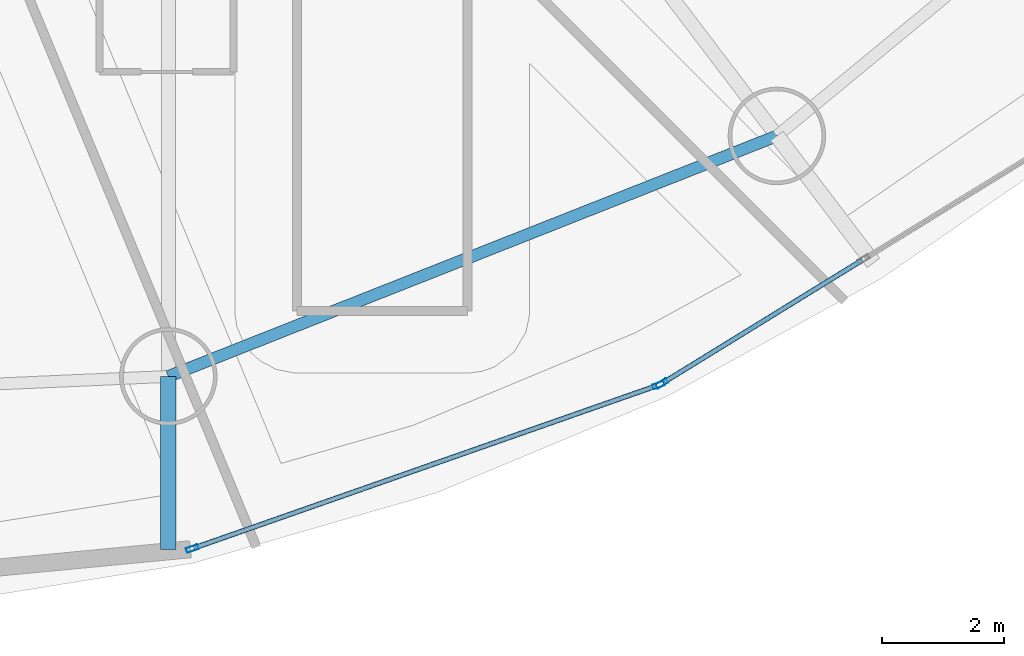
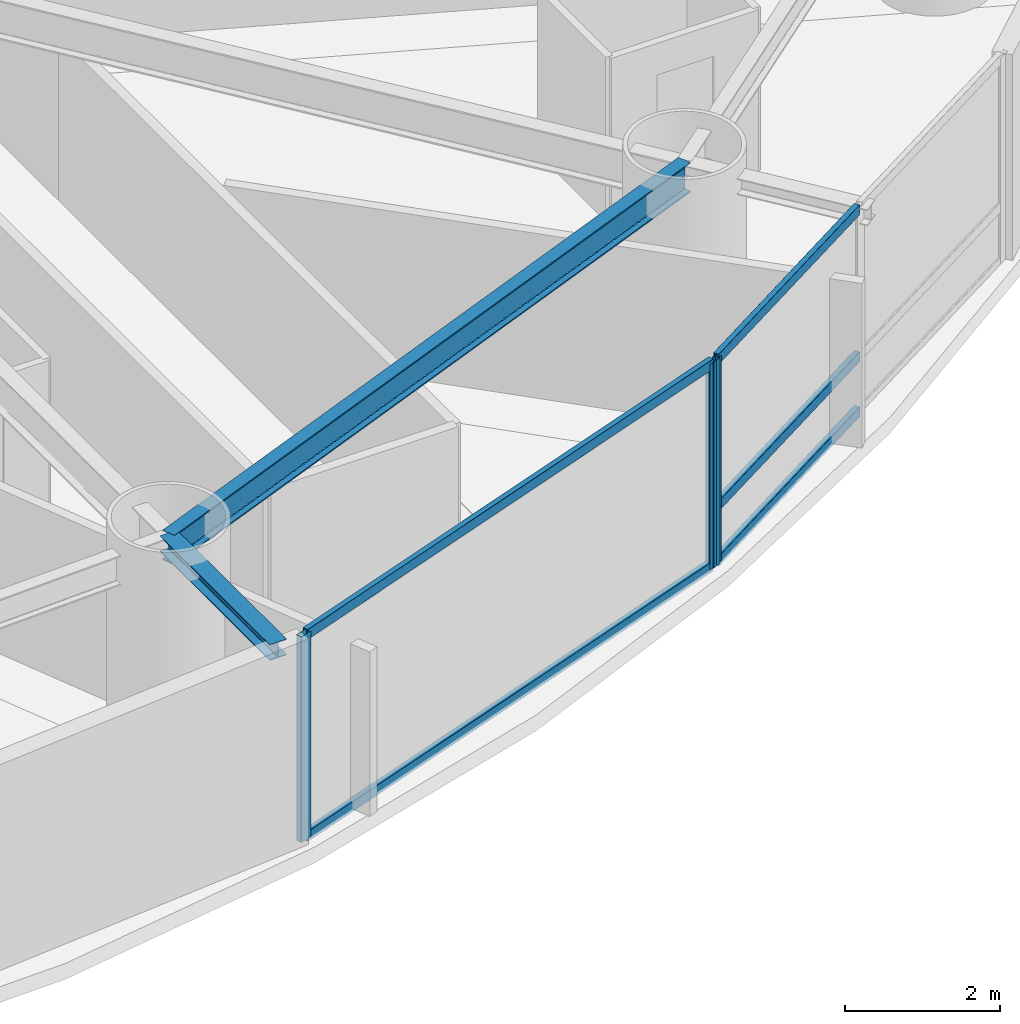
# One storey, part 6 of 27: 8 members, 2 beams, 2 elements without a shape of their own.
"""IFC4 building model written with IfcOpenShell, lengths in metres."""

from ifc_helpers import new_model, si_unit, direction, frame, origin, origin_2d, place, context, subcontext, project, spatial, hollow_rectangle, i_section, extrude, material, layer, layer_set, material_profile, profile_set, type_object, element, aggregate, save


model = new_model("IFC4")

# Units and contexts
model_context = context("Model", 3, precision=1e-05, world=origin(), true_north=direction((0.0, 1.0)))
body_context = subcontext(model_context, "Body", "Model", "MODEL_VIEW")
ifc_project = project(units=[si_unit("LENGTHUNIT", "METRE"), si_unit("AREAUNIT", "SQUARE_METRE"), si_unit("VOLUMEUNIT", "CUBIC_METRE"), si_unit("PLANEANGLEUNIT", "RADIAN"), si_unit("MASSUNIT", "GRAM", prefix="KILO")], contexts=[model_context])

# Site, building, storey
site_placement = place(None, origin())
site = spatial("IfcSite", under=ifc_project, at=site_placement, CompositionType="ELEMENT")
building_placement = place(site_placement, origin())
building = spatial("IfcBuilding", under=site, at=building_placement, Name="Bramvorn Convention Spire", CompositionType="ELEMENT")
storey_placement = place(building_placement, frame((0.0, 0.0, 44.89990234375)))
storey = spatial("IfcBuildingStorey", under=building, at=storey_placement, Name="L08", CompositionType="ELEMENT", Elevation=44.89990234375)

# Beams
ifc_material_1 = material(Name="Steel CSA G40.21 Grade 350 (350W)", Category="steel")
ifc_material_profile_1 = material_profile(ifc_material_1, i_section(OverallWidth=0.25390625, OverallDepth=0.2529296875, WebThickness=0.008544921875, FlangeThickness=0.01416015625, FilletRadius=0.011962890625, at=origin_2d()))
ifc_profile_set_1 = profile_set([ifc_material_profile_1], Name="Steel CSA G40.21 Grade 350 (350W) - W250X73")
beam_type_1 = type_object("IfcBeamType", Name="BM-W250X73", PredefinedType="BEAM", material=ifc_profile_set_1)
beam_1_placement = place(storey_placement, frame((46.23779296875, 5.42333984375, 3.12353515625), z_axis=(0.0, -1.0, 0.0), x_axis=(1.0, 0.0, 0.0)))
element("IfcBeam", 1, at=beam_1_placement, inside=storey, type_object=beam_type_1, Name="L08 slab-edge cantilever tip beam MC14", PredefinedType="BEAM", context=body_context, shape_type="SweptSolid", body=[
    extrude(i_section(OverallWidth=0.25390625, OverallDepth=0.2529296875, WebThickness=0.008544921875, FlangeThickness=0.01416015625, FilletRadius=0.011962890625, at=origin_2d()), origin(), (0.0, 0.0, 1.0), 2.840087890625),
])
ifc_material_profile_2 = material_profile(ifc_material_1, i_section(OverallWidth=0.194091796875, OverallDepth=0.468994140625, WebThickness=0.0126953125, FlangeThickness=0.0205078125, FilletRadius=0.01806640625, at=origin_2d()))
ifc_profile_set_2 = profile_set([ifc_material_profile_2], Name="Steel CSA G40.21 Grade 350 (350W) - W460X106")
beam_type_2 = type_object("IfcBeamType", Name="BM-W460X106", PredefinedType="SPANDREL", material=ifc_profile_set_2)
beam_2_placement = place(storey_placement, frame((46.23779296875, 5.42333984375, 3.015625), z_axis=(0.93000950609, 0.367535465749, 0.0), x_axis=(-0.367535465749, 0.93000950609, 0.0)))
element("IfcBeam", 2, at=beam_2_placement, inside=storey, type_object=beam_type_2, Name="L08 mega-column ring beam 14", PredefinedType="SPANDREL", context=body_context, shape_type="SweptSolid", body=[
    extrude(i_section(OverallWidth=0.194091796875, OverallDepth=0.468994140625, WebThickness=0.0126953125, FlangeThickness=0.0205078125, FilletRadius=0.01806640625, at=origin_2d()), origin(), (0.0, 0.0, 1.0), 10.74169921875),
])

# Curtain wall, members
ifc_material_2 = material(Name="Anodised Bronze Unitised Curtain Wall", Category="aluminium")
ifc_layer = layer(ifc_material_2, 0.179931640625)
ifc_layer_set = layer_set([ifc_layer], Name="Anodised Bronze Unitised Curtain Wall - CW-HTL-FRIT")
curtain_wall_type = type_object("IfcCurtainWallType", Name="CW-HTL-FRIT", PredefinedType="USERDEFINED", material=ifc_layer_set)
curtain_wall_1_placement = place(storey_placement, origin())
curtain_wall_1 = element("IfcCurtainWall", 3, at=curtain_wall_1_placement, inside=storey, type_object=curtain_wall_type, Name="L08 fritted glass curtain wall 20", ObjectType="UNITISED CURTAIN WALL", PredefinedType="USERDEFINED")
ifc_material_3 = material(Name="Anodised Bronze Aluminium 6063-T6", Category="aluminium")
ifc_material_profile_3 = material_profile(ifc_material_3, hollow_rectangle(XDim=0.080078125, YDim=0.199951171875, WallThickness=0.00390625, InnerFilletRadius=0.0009765625, OuterFilletRadius=0.00390625, at=origin_2d()))
ifc_profile_set_3 = profile_set([ifc_material_profile_3], Name="Anodised Bronze Aluminium 6063-T6 - CWM80X200")
member_type_1 = type_object("IfcMemberType", Name="CW-MUL-180", PredefinedType="MULLION", material=ifc_profile_set_3)
member_1_placement = place(storey_placement, frame((54.2841796875, 5.281005859375, 0.0), z_axis=(0.0, 0.0, 1.0), x_axis=(0.330945665004, -0.943649811538, 0.0)))
member_1 = element("IfcMember", 4, at=member_1_placement, type_object=member_type_1, Name="CW2 mullion 1", PredefinedType="MULLION", context=body_context, shape_type="SweptSolid", body=[
    extrude(hollow_rectangle(XDim=0.080078125, YDim=0.199951171875, WallThickness=0.00390625, InnerFilletRadius=0.0009765625, OuterFilletRadius=0.00390625, at=origin_2d()), origin(), (0.0, 0.0, 1.0), 3.25),
])
member_2_placement = place(storey_placement, frame((46.63037109375, 2.5966796875, 0.0), z_axis=(0.0, 0.0, 1.0), x_axis=(0.330945665004, -0.943649811538, 0.0)))
member_2 = element("IfcMember", 5, at=member_2_placement, type_object=member_type_1, Name="CW2 mullion 2", PredefinedType="MULLION", context=body_context, shape_type="SweptSolid", body=[
    extrude(hollow_rectangle(XDim=0.080078125, YDim=0.199951171875, WallThickness=0.00390625, InnerFilletRadius=0.0009765625, OuterFilletRadius=0.00390625, at=origin_2d()), origin(), (0.0, 0.0, 1.0), 3.25),
])

# Curtain wall, member
curtain_wall_2_placement = place(storey_placement, origin())
curtain_wall_2 = element("IfcCurtainWall", 6, at=curtain_wall_2_placement, inside=storey, type_object=curtain_wall_type, Name="L08 fritted glass curtain wall 21", ObjectType="UNITISED CURTAIN WALL", PredefinedType="USERDEFINED")
member_3_placement = place(storey_placement, frame((54.337890625, 5.306640625, 0.0), z_axis=(0.0, 0.0, 1.0), x_axis=(0.524243929369, -0.851568143204, 0.0)))
member_3 = element("IfcMember", 7, at=member_3_placement, type_object=member_type_1, Name="CW2 mullion 3", PredefinedType="MULLION", context=body_context, shape_type="SweptSolid", body=[
    extrude(hollow_rectangle(XDim=0.080078125, YDim=0.199951171875, WallThickness=0.00390625, InnerFilletRadius=0.0009765625, OuterFilletRadius=0.00390625, at=origin_2d()), origin(), (0.0, 0.0, 1.0), 3.25),
])

# Member
ifc_material_profile_4 = material_profile(ifc_material_3, hollow_rectangle(XDim=0.080078125, YDim=0.159912109375, WallThickness=0.00390625, InnerFilletRadius=0.0009765625, OuterFilletRadius=0.00390625, at=origin_2d()))
ifc_profile_set_4 = profile_set([ifc_material_profile_4], Name="Anodised Bronze Aluminium 6063-T6 - CWT80X160")
member_type_2 = type_object("IfcMemberType", Name="CW-TRN-150", PredefinedType="USERDEFINED", material=ifc_profile_set_4)
member_4_placement = place(storey_placement, frame((54.255859375, 5.27099609375, 0.030029296875), z_axis=(-0.943652990978, -0.330936599092, 0.0), x_axis=(0.330936599092, -0.943652990978, 0.0)))
member_4 = element("IfcMember", 8, at=member_4_placement, type_object=member_type_2, Name="CW2 transom 1.1", ObjectType="TRANSOM", PredefinedType="USERDEFINED", context=body_context, shape_type="SweptSolid", body=[
    extrude(hollow_rectangle(XDim=0.080078125, YDim=0.159912109375, WallThickness=0.00390625, InnerFilletRadius=0.0009765625, OuterFilletRadius=0.00390625, at=origin_2d()), origin(), (0.0, 0.0, 1.0), 8.05078125),
])

member_5_placement = place(storey_placement, frame((54.255859375, 5.27099609375, 3.22021484375), z_axis=(-0.943652990978, -0.330936599092, 0.0), x_axis=(0.330936599092, -0.943652990978, 0.0)))
member_5 = element("IfcMember", 9, at=member_5_placement, type_object=member_type_2, Name="CW2 transom 1.2", ObjectType="TRANSOM", PredefinedType="USERDEFINED", context=body_context, shape_type="SweptSolid", body=[
    extrude(hollow_rectangle(XDim=0.080078125, YDim=0.159912109375, WallThickness=0.00390625, InnerFilletRadius=0.0009765625, OuterFilletRadius=0.00390625, at=origin_2d()), origin(), (0.0, 0.0, 1.0), 8.05078125),
])

aggregate(curtain_wall_1, [member_1, member_2, member_4, member_5])

member_6_placement = place(storey_placement, frame((57.626953125, 7.33154296875, 0.030029296875), z_axis=(-0.851540181717, -0.524289346565, 0.0), x_axis=(0.524289346565, -0.851540181717, 0.0)))
member_6 = element("IfcMember", 10, at=member_6_placement, type_object=member_type_2, Name="CW2 transom 2.1", ObjectType="TRANSOM", PredefinedType="USERDEFINED", context=body_context, shape_type="SweptSolid", body=[
    extrude(hollow_rectangle(XDim=0.080078125, YDim=0.159912109375, WallThickness=0.00390625, InnerFilletRadius=0.0009765625, OuterFilletRadius=0.00390625, at=origin_2d()), origin(), (0.0, 0.0, 1.0), 3.832275390625),
])

member_7_placement = place(storey_placement, frame((57.626953125, 7.33154296875, 0.900146484375), z_axis=(-0.851540181717, -0.524289346565, 0.0), x_axis=(0.524289346565, -0.851540181717, 0.0)))
member_7 = element("IfcMember", 11, at=member_7_placement, type_object=member_type_2, Name="CW2 transom 2.2", ObjectType="TRANSOM", PredefinedType="USERDEFINED", context=body_context, shape_type="SweptSolid", body=[
    extrude(hollow_rectangle(XDim=0.080078125, YDim=0.159912109375, WallThickness=0.00390625, InnerFilletRadius=0.0009765625, OuterFilletRadius=0.00390625, at=origin_2d()), origin(), (0.0, 0.0, 1.0), 3.832275390625),
])

member_8_placement = place(storey_placement, frame((57.626953125, 7.33154296875, 3.22021484375), z_axis=(-0.851540181717, -0.524289346565, 0.0), x_axis=(0.524289346565, -0.851540181717, 0.0)))
member_8 = element("IfcMember", 12, at=member_8_placement, type_object=member_type_2, Name="CW2 transom 2.3", ObjectType="TRANSOM", PredefinedType="USERDEFINED", context=body_context, shape_type="SweptSolid", body=[
    extrude(hollow_rectangle(XDim=0.080078125, YDim=0.159912109375, WallThickness=0.00390625, InnerFilletRadius=0.0009765625, OuterFilletRadius=0.00390625, at=origin_2d()), origin(), (0.0, 0.0, 1.0), 3.832275390625),
])

aggregate(curtain_wall_2, [member_3, member_6, member_7, member_8])

save(model, "model.ifc")
